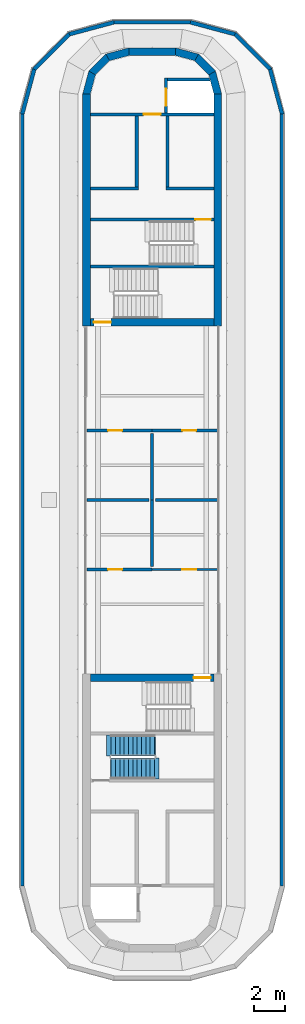
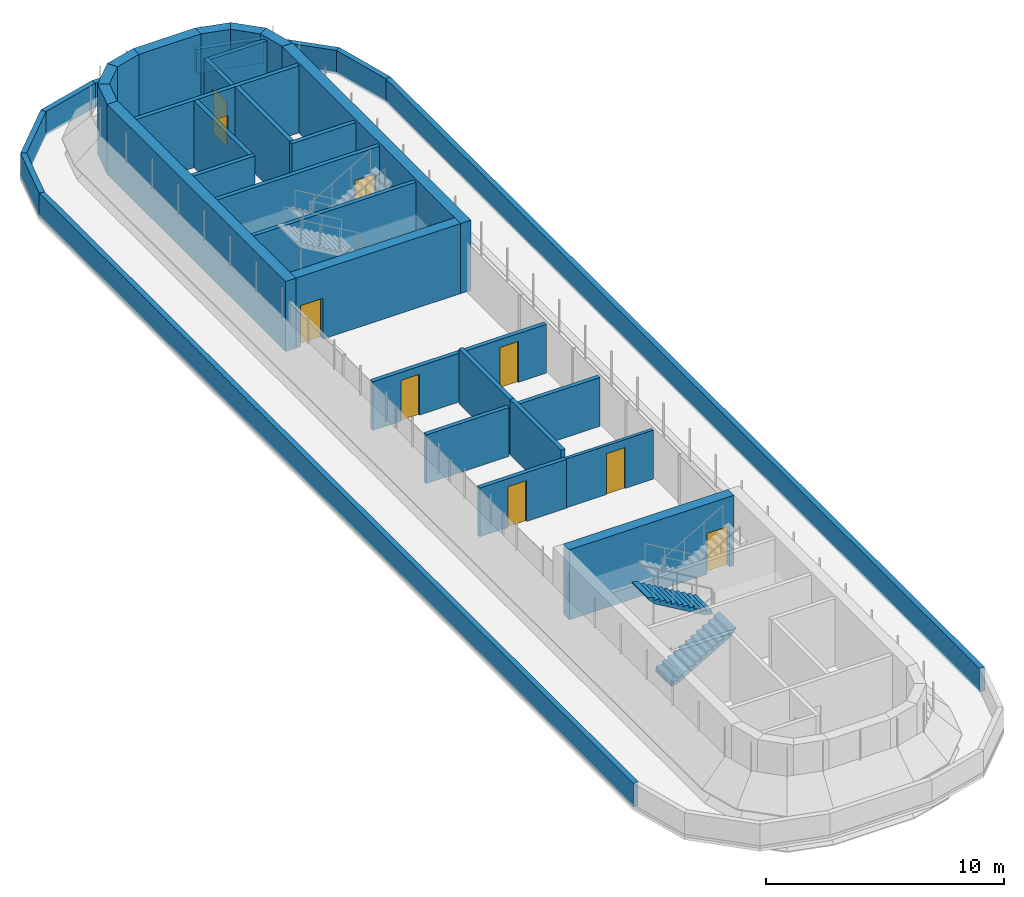
# One storey, part 3 of 6: 37 walls, 9 doors, 2 stair flights, 9 openings, 1 element without a shape of its own.
"""IFC4 building model written with IfcOpenShell, lengths in metres."""

from ifc_helpers import new_model, si_unit, direction, frame, frame_2d, origin, place, context, subcontext, project, spatial, polyline, rectangle, outline, extrude, material, layer, layer_set, type_object, element, fill, aggregate, save


model = new_model("IFC4")

# Units and contexts
model_context = context("Model", 3, precision=1e-05, world=origin(), true_north=direction((0.0, 1.0)))
body_context = subcontext(model_context, "Body", "Model", "MODEL_VIEW")
ifc_project = project(units=[si_unit("LENGTHUNIT", "METRE"), si_unit("AREAUNIT", "SQUARE_METRE"), si_unit("VOLUMEUNIT", "CUBIC_METRE"), si_unit("PLANEANGLEUNIT", "RADIAN"), si_unit("MASSUNIT", "GRAM", prefix="KILO")], contexts=[model_context])

# Site, building, storey
site_placement = place(None, origin())
site = spatial("IfcSite", under=ifc_project, at=site_placement, CompositionType="ELEMENT")
building_placement = place(site_placement, origin())
building = spatial("IfcBuilding", under=site, at=building_placement, Name="Zarbagh Exchange Tower", CompositionType="ELEMENT")
storey_placement = place(building_placement, frame((0.0, 0.0, 313.199951171875)))
storey = spatial("IfcBuildingStorey", under=building, at=storey_placement, Name="L77", CompositionType="ELEMENT", Elevation=313.199951171875)

# Wall, opening, door
ifc_material_1 = material(Name="Plasterboard partition")
ifc_layer_1 = layer(ifc_material_1, 0.14990234375)
ifc_layer_set_1 = layer_set([ifc_layer_1], Name="Board partition 150")
wall_type_1 = type_object("IfcWallType", Name="Board partition 150", PredefinedType="PARTITIONING", material=ifc_layer_set_1)
wall_1_placement = place(storey_placement, frame((0.0, -4.5, 0.0), z_axis=(0.0, 0.0, 1.0), x_axis=(1.0, 0.0, 0.0)))
wall_1 = element("IfcWall", 1, at=wall_1_placement, inside=storey, type_object=wall_type_1, Name="WL-L77-W004", PredefinedType="PARTITIONING", context=body_context, shape_type="SweptSolid", body=[
    extrude(rectangle(XDim=4.219970703125, YDim=0.14990234375, at=frame_2d((2.10986328125, 0.0))), origin(), (0.0, 0.0, 1.0), 2.5107421875),
])
opening_1_placement = place(wall_1_placement, frame((1.949951171875, 0.0, 0.0)))
opening_1 = element("IfcOpeningElement", 2, at=opening_1_placement, cuts=wall_1, Name="Opening D37", PredefinedType="OPENING", context=body_context, shape_type="SweptSolid", body=[
    extrude(rectangle(XDim=0.89990234375, YDim=2.10009765625, at=frame_2d((0.449951171875, 1.050048828125))), frame((0.0, 0.0849609375, 0.0), z_axis=(0.0, -1.0, 0.0), x_axis=(1.0, 0.0, 0.0)), (0.0, 0.0, 1.0), 0.169921875),
])
ifc_material_2 = material(Name="Timber door leaf", Category="wood")
door_type_1 = type_object("IfcDoorType", Name="Door single 900x2100", OperationType="SINGLE_SWING_LEFT", PredefinedType="DOOR", material=ifc_material_2)
door_1_placement = place(opening_1_placement, origin())
door_1 = element("IfcDoor", 3, at=door_1_placement, inside=storey, type_object=door_type_1, Name="D04", OperationType="SINGLE_SWING_LEFT", OverallHeight=2.10009765625, OverallWidth=0.89990234375, PredefinedType="DOOR", context=body_context, shape_type="SweptSolid", body=[
    extrude(rectangle(XDim=0.89990234375, YDim=2.10009765625, at=frame_2d((0.449951171875, 1.050048828125))), frame((0.0, 0.02490234375, 0.0), z_axis=(0.0, -1.0, 0.0), x_axis=(1.0, 0.0, 0.0)), (0.0, 0.0, 1.0), 0.050048828125),
])
fill(opening_1, door_1)

ifc_material_3 = material(Name="Concrete block partition", Category="concrete")
ifc_layer_2 = layer(ifc_material_3, 0.199951171875)
ifc_layer_set_2 = layer_set([ifc_layer_2], Name="Fire-rated block partition 200 EI 60")
wall_type_2 = type_object("IfcWallType", Name="Fire-rated block partition 200 EI 60", PredefinedType="PARTITIONING", material=ifc_layer_set_2)
wall_2_placement = place(storey_placement, frame((0.0, 4.5, 0.0), z_axis=(0.0, 0.0, 1.0), x_axis=(-1.0, 0.0, 0.0)))
wall_2 = element("IfcWall", 4, at=wall_2_placement, inside=storey, type_object=wall_type_2, Name="WL-L77-W001", PredefinedType="PARTITIONING", context=body_context, shape_type="SweptSolid", body=[
    extrude(rectangle(XDim=4.219970703125, YDim=0.199951171875, at=frame_2d((2.10986328125, 0.0))), origin(), (0.0, 0.0, 1.0), 2.5107421875),
])
opening_2_placement = place(wall_2_placement, frame((1.949951171875, 0.0, 0.0)))
opening_2 = element("IfcOpeningElement", 5, at=opening_2_placement, cuts=wall_2, Name="Opening D01", PredefinedType="OPENING", context=body_context, shape_type="SweptSolid", body=[
    extrude(rectangle(XDim=0.89990234375, YDim=2.10009765625, at=frame_2d((0.449951171875, 1.050048828125))), frame((0.0, 0.10986328125, 0.0), z_axis=(0.0, -1.0, 0.0), x_axis=(1.0, 0.0, 0.0)), (0.0, 0.0, 1.0), 0.219970703125),
])
ifc_material_4 = material(Name="Steel door set", Category="steel")
door_type_2 = type_object("IfcDoorType", Name="Door single 900x2100 EI 60", OperationType="SINGLE_SWING_LEFT", PredefinedType="DOOR", material=ifc_material_4)
door_2_placement = place(opening_2_placement, origin())
door_2 = element("IfcDoor", 6, at=door_2_placement, inside=storey, type_object=door_type_2, Name="D01", OperationType="SINGLE_SWING_LEFT", OverallHeight=2.10009765625, OverallWidth=0.89990234375, PredefinedType="DOOR", context=body_context, shape_type="SweptSolid", body=[
    extrude(rectangle(XDim=0.89990234375, YDim=2.10009765625, at=frame_2d((0.449951171875, 1.050048828125))), frame((0.0, 0.02490234375, 0.0), z_axis=(0.0, -1.0, 0.0), x_axis=(1.0, 0.0, 0.0)), (0.0, 0.0, 1.0), 0.050048828125),
])
fill(opening_2, door_2)

wall_3_placement = place(storey_placement, frame((4.219970703125, 4.5, 0.0), z_axis=(0.0, 0.0, 1.0), x_axis=(-1.0, 0.0, 0.0)))
wall_3 = element("IfcWall", 7, at=wall_3_placement, inside=storey, type_object=wall_type_2, Name="WL-L77-W002", PredefinedType="PARTITIONING", context=body_context, shape_type="SweptSolid", body=[
    extrude(rectangle(XDim=4.219970703125, YDim=0.199951171875, at=frame_2d((2.10986328125, 0.0))), origin(), (0.0, 0.0, 1.0), 2.5107421875),
])
opening_3_placement = place(wall_3_placement, frame((1.3701171875, 0.0, 0.0)))
opening_3 = element("IfcOpeningElement", 8, at=opening_3_placement, cuts=wall_3, Name="Opening D02", PredefinedType="OPENING", context=body_context, shape_type="SweptSolid", body=[
    extrude(rectangle(XDim=0.89990234375, YDim=2.10009765625, at=frame_2d((0.449951171875, 1.050048828125))), frame((0.0, 0.10986328125, 0.0), z_axis=(0.0, -1.0, 0.0), x_axis=(1.0, 0.0, 0.0)), (0.0, 0.0, 1.0), 0.219970703125),
])
door_3_placement = place(opening_3_placement, origin())
door_3 = element("IfcDoor", 9, at=door_3_placement, inside=storey, type_object=door_type_2, Name="D02", OperationType="SINGLE_SWING_LEFT", OverallHeight=2.10009765625, OverallWidth=0.89990234375, PredefinedType="DOOR", context=body_context, shape_type="SweptSolid", body=[
    extrude(rectangle(XDim=0.89990234375, YDim=2.10009765625, at=frame_2d((0.449951171875, 1.050048828125))), frame((0.0, 0.02490234375, 0.0), z_axis=(0.0, -1.0, 0.0), x_axis=(1.0, 0.0, 0.0)), (0.0, 0.0, 1.0), 0.050048828125),
])
fill(opening_3, door_3)

wall_4_placement = place(storey_placement, frame((-4.219970703125, -4.5, 0.0), z_axis=(0.0, 0.0, 1.0), x_axis=(1.0, 0.0, 0.0)))
wall_4 = element("IfcWall", 10, at=wall_4_placement, inside=storey, type_object=wall_type_2, Name="WL-L77-W003", PredefinedType="PARTITIONING", context=body_context, shape_type="SweptSolid", body=[
    extrude(rectangle(XDim=4.219970703125, YDim=0.199951171875, at=frame_2d((2.10986328125, 0.0))), origin(), (0.0, 0.0, 1.0), 2.5107421875),
])
opening_4_placement = place(wall_4_placement, frame((1.3701171875, 0.0, 0.0)))
opening_4 = element("IfcOpeningElement", 11, at=opening_4_placement, cuts=wall_4, Name="Opening D03", PredefinedType="OPENING", context=body_context, shape_type="SweptSolid", body=[
    extrude(rectangle(XDim=0.89990234375, YDim=2.10009765625, at=frame_2d((0.449951171875, 1.050048828125))), frame((0.0, 0.10986328125, 0.0), z_axis=(0.0, -1.0, 0.0), x_axis=(1.0, 0.0, 0.0)), (0.0, 0.0, 1.0), 0.219970703125),
])
door_4_placement = place(opening_4_placement, origin())
door_4 = element("IfcDoor", 12, at=door_4_placement, inside=storey, type_object=door_type_2, Name="D03", OperationType="SINGLE_SWING_LEFT", OverallHeight=2.10009765625, OverallWidth=0.89990234375, PredefinedType="DOOR", context=body_context, shape_type="SweptSolid", body=[
    extrude(rectangle(XDim=0.89990234375, YDim=2.10009765625, at=frame_2d((0.449951171875, 1.050048828125))), frame((0.0, 0.02490234375, 0.0), z_axis=(0.0, -1.0, 0.0), x_axis=(1.0, 0.0, 0.0)), (0.0, 0.0, 1.0), 0.050048828125),
])
fill(opening_4, door_4)

# Walls
wall_5_placement = place(storey_placement, frame((0.0, 4.300048828125, 0.0), z_axis=(0.0, 0.0, 1.0), x_axis=(0.0, -1.0, 0.0)))
element("IfcWall", 13, at=wall_5_placement, inside=storey, type_object=wall_type_2, Name="WL-L77-W005", PredefinedType="PARTITIONING", context=body_context, shape_type="SweptSolid", body=[
    extrude(rectangle(XDim=4.300048828125, YDim=0.199951171875, at=frame_2d((2.14990234375, 0.0))), origin(), (0.0, 0.0, 1.0), 2.828125),
])
for number, where, z_axis, x_axis, name in (
    (14, (-0.199951171875, 0.0, 0.0), (0.0, 0.0, 1.0), (-1.0, 0.0, 0.0), "WL-L77-W006"),
    (15, (4.219970703125, 0.0, 0.0), (0.0, 0.0, 1.0), (-1.0, 0.0, 0.0), "WL-L77-W007"),
):
    element("IfcWall", number, at=place(storey_placement, frame(where, z_axis=z_axis, x_axis=x_axis)), inside=storey, type_object=wall_type_2, Name=name, PredefinedType="PARTITIONING", context=body_context, shape_type="SweptSolid", body=[
        extrude(rectangle(XDim=4.02001953125, YDim=0.199951171875, at=frame_2d((2.010009765625, 0.0))), origin(), (0.0, 0.0, 1.0), 2.5107421875),
    ])
wall_6_placement = place(storey_placement, frame((0.0, 0.0, 0.0), z_axis=(0.0, 0.0, 1.0), x_axis=(0.0, -1.0, 0.0)))
element("IfcWall", 16, at=wall_6_placement, inside=storey, type_object=wall_type_2, Name="WL-L77-W008", PredefinedType="PARTITIONING", context=body_context, shape_type="SweptSolid", body=[
    extrude(rectangle(XDim=4.300048828125, YDim=0.199951171875, at=frame_2d((2.14990234375, 0.0))), origin(), (0.0, 0.0, 1.0), 2.828125),
])
ifc_material_5 = material(Name="Concrete C40/50", Category="concrete")
ifc_layer_3 = layer(ifc_material_5, 0.25)
ifc_layer_set_3 = layer_set([ifc_layer_3], Name="Parapet wall, concrete C40/50")
wall_type_3 = type_object("IfcWallType", Name="Parapet wall, concrete C40/50", PredefinedType="PARAPET", material=ifc_layer_set_3)
wall_7_placement = place(storey_placement, origin())
element("IfcWall", 17, at=wall_7_placement, inside=storey, type_object=wall_type_3, Name="roof parapet", PredefinedType="PARAPET", context=body_context, shape_type="SweptSolid", body=[
    extrude(outline(polyline([(-8.530029296875, -24.984375), (-8.530029296875, 24.984375), (-8.280029296875, 24.951416015625), (-8.280029296875, -24.951416015625), (-8.530029296875, -24.984375)])), origin(), (0.0, 0.0, 1.0), 1.219970703125),
])
wall_8_placement = place(storey_placement, origin())
element("IfcWall", 18, at=wall_8_placement, inside=storey, type_object=wall_type_3, Name="roof parapet", PredefinedType="PARAPET", context=body_context, shape_type="SweptSolid", body=[
    extrude(outline(polyline([(-8.530029296875, 24.984375), (-7.742919921875, 27.92138671875), (-7.518798828125, 27.7919921875), (-8.280029296875, 24.951416015625), (-8.530029296875, 24.984375)])), origin(), (0.0, 0.0, 1.0), 1.219970703125),
])
wall_9_placement = place(storey_placement, origin())
element("IfcWall", 19, at=wall_9_placement, inside=storey, type_object=wall_type_3, Name="roof parapet", PredefinedType="PARAPET", context=body_context, shape_type="SweptSolid", body=[
    extrude(outline(polyline([(-7.742919921875, 27.92138671875), (-5.42138671875, 30.242919921875), (-5.2919921875, 30.018798828125), (-7.518798828125, 27.7919921875), (-7.742919921875, 27.92138671875)])), origin(), (0.0, 0.0, 1.0), 1.219970703125),
])
wall_10_placement = place(storey_placement, origin())
element("IfcWall", 20, at=wall_10_placement, inside=storey, type_object=wall_type_3, Name="roof parapet", PredefinedType="PARAPET", context=body_context, shape_type="SweptSolid", body=[
    extrude(outline(polyline([(-5.42138671875, 30.242919921875), (-2.484375, 31.030029296875), (-2.451416015625, 30.780029296875), (-5.2919921875, 30.018798828125), (-5.42138671875, 30.242919921875)])), origin(), (0.0, 0.0, 1.0), 1.219970703125),
])
wall_11_placement = place(storey_placement, origin())
element("IfcWall", 21, at=wall_11_placement, inside=storey, type_object=wall_type_3, Name="roof parapet", PredefinedType="PARAPET", context=body_context, shape_type="SweptSolid", body=[
    extrude(outline(polyline([(-2.484375, 31.030029296875), (2.484375, 31.030029296875), (2.451416015625, 30.780029296875), (-2.451416015625, 30.780029296875), (-2.484375, 31.030029296875)])), origin(), (0.0, 0.0, 1.0), 1.219970703125),
])
wall_12_placement = place(storey_placement, origin())
element("IfcWall", 22, at=wall_12_placement, inside=storey, type_object=wall_type_3, Name="roof parapet", PredefinedType="PARAPET", context=body_context, shape_type="SweptSolid", body=[
    extrude(outline(polyline([(2.484375, 31.030029296875), (5.42138671875, 30.242919921875), (5.2919921875, 30.018798828125), (2.451416015625, 30.780029296875), (2.484375, 31.030029296875)])), origin(), (0.0, 0.0, 1.0), 1.219970703125),
])
wall_13_placement = place(storey_placement, origin())
element("IfcWall", 23, at=wall_13_placement, inside=storey, type_object=wall_type_3, Name="roof parapet", PredefinedType="PARAPET", context=body_context, shape_type="SweptSolid", body=[
    extrude(outline(polyline([(5.42138671875, 30.242919921875), (7.742919921875, 27.92138671875), (7.518798828125, 27.7919921875), (5.2919921875, 30.018798828125), (5.42138671875, 30.242919921875)])), origin(), (0.0, 0.0, 1.0), 1.219970703125),
])
wall_14_placement = place(storey_placement, origin())
element("IfcWall", 24, at=wall_14_placement, inside=storey, type_object=wall_type_3, Name="roof parapet", PredefinedType="PARAPET", context=body_context, shape_type="SweptSolid", body=[
    extrude(outline(polyline([(7.742919921875, 27.92138671875), (8.530029296875, 24.984375), (8.280029296875, 24.951416015625), (7.518798828125, 27.7919921875), (7.742919921875, 27.92138671875)])), origin(), (0.0, 0.0, 1.0), 1.219970703125),
])
wall_15_placement = place(storey_placement, origin())
element("IfcWall", 25, at=wall_15_placement, inside=storey, type_object=wall_type_3, Name="roof parapet", PredefinedType="PARAPET", context=body_context, shape_type="SweptSolid", body=[
    extrude(outline(polyline([(8.530029296875, 24.984375), (8.530029296875, -24.984375), (8.280029296875, -24.951416015625), (8.280029296875, 24.951416015625), (8.530029296875, 24.984375)])), origin(), (0.0, 0.0, 1.0), 1.219970703125),
])
ifc_layer_4 = layer(ifc_material_5, 0.5)
ifc_layer_set_4 = layer_set([ifc_layer_4], Name="RC core corner wall 500 C40/50")
wall_type_4 = type_object("IfcWallType", Name="RC core corner wall 500 C40/50", PredefinedType="SHEAR", material=ifc_layer_set_4)
wall_16_placement = place(storey_placement, origin())
element("IfcWall", 26, at=wall_16_placement, inside=storey, type_object=wall_type_4, Name="CW10 core N corner W", PredefinedType="SHEAR", context=body_context, shape_type="SweptSolid", body=[
    extrude(outline(polyline([(-4.5, 26.25), (-4.09814453125, 27.75), (-3.6650390625, 27.5), (-4.0, 26.25), (-4.5, 26.25)])), origin(), (0.0, 0.0, 1.0), 3.60009765625),
])
wall_17_placement = place(storey_placement, origin())
element("IfcWall", 27, at=wall_17_placement, inside=storey, type_object=wall_type_4, Name="CW10 core N corner W", PredefinedType="SHEAR", context=body_context, shape_type="SweptSolid", body=[
    extrude(outline(polyline([(-4.09814453125, 27.75), (-3.0, 28.84814453125), (-2.75, 28.4150390625), (-3.6650390625, 27.5), (-4.09814453125, 27.75)])), origin(), (0.0, 0.0, 1.0), 3.60009765625),
])
wall_18_placement = place(storey_placement, origin())
element("IfcWall", 28, at=wall_18_placement, inside=storey, type_object=wall_type_4, Name="CW10 core N corner W", PredefinedType="SHEAR", context=body_context, shape_type="SweptSolid", body=[
    extrude(outline(polyline([(-3.0, 28.84814453125), (-1.5, 29.25), (-1.5, 28.75), (-2.75, 28.4150390625), (-3.0, 28.84814453125)])), origin(), (0.0, 0.0, 1.0), 3.60009765625),
])
wall_19_placement = place(storey_placement, origin())
element("IfcWall", 29, at=wall_19_placement, inside=storey, type_object=wall_type_4, Name="CW10 core N corner E", PredefinedType="SHEAR", context=body_context, shape_type="SweptSolid", body=[
    extrude(outline(polyline([(4.5, 26.25), (4.09814453125, 27.75), (3.6650390625, 27.5), (4.0, 26.25), (4.5, 26.25)])), origin(), (0.0, 0.0, 1.0), 3.60009765625),
])
wall_20_placement = place(storey_placement, origin())
element("IfcWall", 30, at=wall_20_placement, inside=storey, type_object=wall_type_4, Name="CW10 core N corner E", PredefinedType="SHEAR", context=body_context, shape_type="SweptSolid", body=[
    extrude(outline(polyline([(4.09814453125, 27.75), (3.0, 28.84814453125), (2.75, 28.4150390625), (3.6650390625, 27.5), (4.09814453125, 27.75)])), origin(), (0.0, 0.0, 1.0), 3.60009765625),
])
wall_21_placement = place(storey_placement, origin())
element("IfcWall", 31, at=wall_21_placement, inside=storey, type_object=wall_type_4, Name="CW10 core N corner E", PredefinedType="SHEAR", context=body_context, shape_type="SweptSolid", body=[
    extrude(outline(polyline([(3.0, 28.84814453125), (1.5, 29.25), (1.5, 28.75), (2.75, 28.4150390625), (3.0, 28.84814453125)])), origin(), (0.0, 0.0, 1.0), 3.60009765625),
])
ifc_layer_5 = layer(ifc_material_5, 0.5)
ifc_layer_set_5 = layer_set([ifc_layer_5], Name="RC core wall 500 C40/50")
wall_type_5 = type_object("IfcWallType", Name="RC core wall 500 C40/50", PredefinedType="SHEAR", material=ifc_layer_set_5)
for number, where, z_axis, x_axis, name in (
    (32, (-4.25, 11.25, 0.0), (0.0, 0.0, 1.0), (0.0, 1.0, 0.0), "CW9 core N W"),
    (33, (4.25, 11.25, 0.0), (0.0, 0.0, 1.0), (0.0, 1.0, 0.0), "CW9 core N E"),
):
    element("IfcWall", number, at=place(storey_placement, frame(where, z_axis=z_axis, x_axis=x_axis)), inside=storey, type_object=wall_type_5, Name=name, PredefinedType="SHEAR", context=body_context, shape_type="SweptSolid", body=[
        extrude(rectangle(XDim=15.0, YDim=0.5, at=frame_2d((7.5, 0.0))), origin(), (0.0, 0.0, 1.0), 3.60009765625),
    ])

# Wall, opening, door
wall_22_placement = place(storey_placement, frame((-4.0, 11.5, 0.0), z_axis=(0.0, 0.0, 1.0), x_axis=(1.0, 0.0, 0.0)))
wall_22 = element("IfcWall", 34, at=wall_22_placement, inside=storey, type_object=wall_type_5, Name="CW9 core N inner end", PredefinedType="SHEAR", context=body_context, shape_type="SweptSolid", body=[
    extrude(rectangle(XDim=8.0, YDim=0.5, at=frame_2d((4.0, 0.0))), origin(), (0.0, 0.0, 1.0), 3.60009765625),
])
opening_5_placement = place(wall_22_placement, frame((0.22509765625, 0.0, 0.0)))
opening_5 = element("IfcOpeningElement", 35, at=opening_5_placement, cuts=wall_22, Name="Opening SD1-1100", PredefinedType="OPENING", context=body_context, shape_type="SweptSolid", body=[
    extrude(rectangle(XDim=1.10009765625, YDim=2.10009765625, at=frame_2d((0.550048828125, 1.050048828125))), frame((0.0, 0.260009765625, 0.0), z_axis=(0.0, -1.0, 0.0), x_axis=(1.0, 0.0, 0.0)), (0.0, 0.0, 1.0), 0.52001953125),
])
ifc_material_6 = material(Name="Steel", Category="steel")
door_type_3 = type_object("IfcDoorType", Name="Exit stair door 1100 x 2100", OperationType="NOTDEFINED", PredefinedType="DOOR", material=ifc_material_6)
door_5_placement = place(opening_5_placement, origin())
door_5 = element("IfcDoor", 36, at=door_5_placement, inside=storey, type_object=door_type_3, Name="North core stair door ST2", OperationType="SINGLE_SWING_LEFT", OverallHeight=2.10009765625, OverallWidth=1.10009765625, PredefinedType="DOOR", context=body_context, shape_type="SweptSolid", body=[
    extrude(rectangle(XDim=1.10009765625, YDim=2.10009765625, at=frame_2d((0.550048828125, 1.050048828125))), frame((0.0, 0.02490234375, 0.0), z_axis=(0.0, -1.0, 0.0), x_axis=(1.0, 0.0, 0.0)), (0.0, 0.0, 1.0), 0.050048828125),
])
fill(opening_5, door_5)

# Wall
wall_23_placement = place(storey_placement, frame((-1.5, 29.0, 0.0), z_axis=(0.0, 0.0, 1.0), x_axis=(1.0, 0.0, 0.0)))
element("IfcWall", 37, at=wall_23_placement, inside=storey, type_object=wall_type_5, Name="CW9 core N outer end", PredefinedType="SHEAR", context=body_context, shape_type="SweptSolid", body=[
    extrude(rectangle(XDim=3.0, YDim=0.5, at=frame_2d((1.5, 0.0))), origin(), (0.0, 0.0, 1.0), 3.60009765625),
])

# Wall, opening, door
wall_24_placement = place(storey_placement, frame((-4.0, -11.5, 0.0), z_axis=(0.0, 0.0, 1.0), x_axis=(1.0, 0.0, 0.0)))
wall_24 = element("IfcWall", 38, at=wall_24_placement, inside=storey, type_object=wall_type_5, Name="CW9 core S inner end", PredefinedType="SHEAR", context=body_context, shape_type="SweptSolid", body=[
    extrude(rectangle(XDim=8.0, YDim=0.5, at=frame_2d((4.0, 0.0))), origin(), (0.0, 0.0, 1.0), 3.60009765625),
])
opening_6_placement = place(wall_24_placement, frame((6.675048828125, 0.0, 0.0)))
opening_6 = element("IfcOpeningElement", 39, at=opening_6_placement, cuts=wall_24, Name="Opening SD1-1100", PredefinedType="OPENING", context=body_context, shape_type="SweptSolid", body=[
    extrude(rectangle(XDim=1.10009765625, YDim=2.10009765625, at=frame_2d((0.550048828125, 1.050048828125))), frame((0.0, 0.260009765625, 0.0), z_axis=(0.0, -1.0, 0.0), x_axis=(1.0, 0.0, 0.0)), (0.0, 0.0, 1.0), 0.52001953125),
])
door_6_placement = place(opening_6_placement, origin())
door_6 = element("IfcDoor", 40, at=door_6_placement, inside=storey, type_object=door_type_3, Name="South core stair door ST2", OperationType="SINGLE_SWING_LEFT", OverallHeight=2.10009765625, OverallWidth=1.10009765625, PredefinedType="DOOR", context=body_context, shape_type="SweptSolid", body=[
    extrude(rectangle(XDim=1.10009765625, YDim=2.10009765625, at=frame_2d((0.550048828125, 1.050048828125))), frame((0.0, 0.02490234375, 0.0), z_axis=(0.0, -1.0, 0.0), x_axis=(1.0, 0.0, 0.0)), (0.0, 0.0, 1.0), 0.050048828125),
])
fill(opening_6, door_6)

# Walls
ifc_material_7 = material(Name="Dense blockwork", Category="masonry")
ifc_layer_6 = layer(ifc_material_7, 0.199951171875)
ifc_layer_set_6 = layer_set([ifc_layer_6], Name="Shaft wall 200 mm blockwork")
wall_type_6 = type_object("IfcWallType", Name="Shaft wall 200 mm blockwork", PredefinedType="PARTITIONING", material=ifc_layer_set_6)
wall_25_placement = place(storey_placement, frame((-4.0, 20.14990234375, 0.0), z_axis=(0.0, 0.0, 1.0), x_axis=(1.0, 0.0, 0.0)))
element("IfcWall", 41, at=wall_25_placement, inside=storey, type_object=wall_type_6, Name="North core shaft wall AB-W", PredefinedType="PARTITIONING", context=body_context, shape_type="SweptSolid", body=[
    extrude(rectangle(XDim=3.10009765625, YDim=0.199951171875, at=frame_2d((1.550048828125, 0.0))), origin(), (0.0, 0.0, 1.0), 3.449951171875),
])
wall_26_placement = place(storey_placement, frame((-1.0, 24.85009765625, 0.0), z_axis=(0.0, 0.0, 1.0), x_axis=(0.0, -1.0, 0.0)))
element("IfcWall", 42, at=wall_26_placement, inside=storey, type_object=wall_type_6, Name="North core shaft wall LW-W", PredefinedType="PARTITIONING", context=body_context, shape_type="SweptSolid", body=[
    extrude(rectangle(XDim=4.60009765625, YDim=0.199951171875, at=frame_2d((2.300048828125, 0.0))), origin(), (0.0, 0.0, 1.0), 3.449951171875),
])
wall_27_placement = place(storey_placement, frame((0.89990234375, 20.14990234375, 0.0), z_axis=(0.0, 0.0, 1.0), x_axis=(1.0, 0.0, 0.0)))
element("IfcWall", 43, at=wall_27_placement, inside=storey, type_object=wall_type_6, Name="North core shaft wall AB-E", PredefinedType="PARTITIONING", context=body_context, shape_type="SweptSolid", body=[
    extrude(rectangle(XDim=3.10009765625, YDim=0.199951171875, at=frame_2d((1.550048828125, 0.0))), origin(), (0.0, 0.0, 1.0), 3.449951171875),
])
wall_28_placement = place(storey_placement, frame((1.0, 24.85009765625, 0.0), z_axis=(0.0, 0.0, 1.0), x_axis=(0.0, -1.0, 0.0)))
element("IfcWall", 44, at=wall_28_placement, inside=storey, type_object=wall_type_6, Name="North core shaft wall LW-E", PredefinedType="PARTITIONING", context=body_context, shape_type="SweptSolid", body=[
    extrude(rectangle(XDim=4.60009765625, YDim=0.199951171875, at=frame_2d((2.300048828125, 0.0))), origin(), (0.0, 0.0, 1.0), 3.449951171875),
])

# Wall, opening, door
ifc_layer_7 = layer(ifc_material_5, 0.199951171875)
ifc_layer_set_7 = layer_set([ifc_layer_7], Name="Stair enclosure wall 200 mm RC C40/50")
wall_type_7 = type_object("IfcWallType", Name="Stair enclosure wall 200 mm RC C40/50", PredefinedType="SHEAR", material=ifc_layer_set_7)
wall_29_placement = place(storey_placement, frame((-4.0, 24.949951171875, 0.0), z_axis=(0.0, 0.0, 1.0), x_axis=(1.0, 0.0, 0.0)))
wall_29 = element("IfcWall", 45, at=wall_29_placement, inside=storey, type_object=wall_type_7, Name="North core lift shaft wall FFA", PredefinedType="SHEAR", context=body_context, shape_type="SweptSolid", body=[
    extrude(rectangle(XDim=8.0, YDim=0.199951171875, at=frame_2d((4.0, 0.0))), origin(), (0.0, 0.0, 1.0), 3.449951171875),
])
opening_7_placement = place(wall_29_placement, frame((3.449951171875, 0.0, 0.0)))
opening_7 = element("IfcOpeningElement", 46, at=opening_7_placement, cuts=wall_29, Name="Opening CD2-1100", PredefinedType="OPENING", context=body_context, shape_type="SweptSolid", body=[
    extrude(rectangle(XDim=1.10009765625, YDim=2.10009765625, at=frame_2d((0.550048828125, 1.050048828125))), frame((0.0, 0.10986328125, 0.0), z_axis=(0.0, -1.0, 0.0), x_axis=(1.0, 0.0, 0.0)), (0.0, 0.0, 1.0), 0.219970703125),
])
door_type_4 = type_object("IfcDoorType", Name="Firefighting lobby door 1100 x 2100", OperationType="NOTDEFINED", PredefinedType="DOOR", material=ifc_material_6)
door_7_placement = place(opening_7_placement, origin())
door_7 = element("IfcDoor", 47, at=door_7_placement, inside=storey, type_object=door_type_4, Name="North core firefighting lobby door CL-FF", OperationType="SINGLE_SWING_LEFT", OverallHeight=2.10009765625, OverallWidth=1.10009765625, PredefinedType="DOOR", context=body_context, shape_type="SweptSolid", body=[
    extrude(rectangle(XDim=1.10009765625, YDim=2.10009765625, at=frame_2d((0.550048828125, 1.050048828125))), frame((0.0, 0.02490234375, 0.0), z_axis=(0.0, -1.0, 0.0), x_axis=(1.0, 0.0, 0.0)), (0.0, 0.0, 1.0), 0.050048828125),
])
fill(opening_7, door_7)

wall_30_placement = place(storey_placement, frame((0.89990234375, 27.300048828125, 0.0), z_axis=(0.0, 0.0, 1.0), x_axis=(0.0, -1.0, 0.0)))
wall_30 = element("IfcWall", 48, at=wall_30_placement, inside=storey, type_object=wall_type_7, Name="North core lift shaft wall FFL", PredefinedType="SHEAR", context=body_context, shape_type="SweptSolid", body=[
    extrude(rectangle(XDim=2.25, YDim=0.199951171875, at=frame_2d((1.125, 0.0))), origin(), (0.0, 0.0, 1.0), 3.449951171875),
])
opening_8_placement = place(wall_30_placement, frame((0.699951171875, 0.0, 0.0)))
opening_8 = element("IfcOpeningElement", 49, at=opening_8_placement, cuts=wall_30, Name="Opening LD-1100", PredefinedType="OPENING", context=body_context, shape_type="SweptSolid", body=[
    extrude(rectangle(XDim=1.10009765625, YDim=2.300048828125, at=frame_2d((0.550048828125, 1.14990234375))), frame((0.0, 0.10986328125, 0.0), z_axis=(0.0, -1.0, 0.0), x_axis=(1.0, 0.0, 0.0)), (0.0, 0.0, 1.0), 0.219970703125),
])
ifc_material_8 = material(Name="Stainless steel", Category="steel")
door_type_5 = type_object("IfcDoorType", Name="Lift landing door 1100 x 2300", OperationType="NOTDEFINED", PredefinedType="DOOR", material=ifc_material_8)
door_8_placement = place(opening_8_placement, origin())
door_8 = element("IfcDoor", 50, at=door_8_placement, inside=storey, type_object=door_type_5, Name="North core lift landing door LD-F", OperationType="DOUBLE_DOOR_SLIDING", OverallHeight=2.300048828125, OverallWidth=1.10009765625, PredefinedType="DOOR", context=body_context, shape_type="SweptSolid", body=[
    extrude(rectangle(XDim=1.10009765625, YDim=2.300048828125, at=frame_2d((0.550048828125, 1.14990234375))), frame((0.0, 0.02490234375, 0.0), z_axis=(0.0, -1.0, 0.0), x_axis=(1.0, 0.0, 0.0)), (0.0, 0.0, 1.0), 0.050048828125),
])
fill(opening_8, door_8)

# Wall
wall_31_placement = place(storey_placement, origin())
element("IfcWall", 51, at=wall_31_placement, inside=storey, type_object=wall_type_7, Name="North core lift shaft wall FFX", PredefinedType="SHEAR", context=body_context, shape_type="SweptSolid", body=[
    extrude(outline(polyline([(1.0, 27.10009765625), (3.754638671875, 27.10009765625), (3.700927734375, 27.300048828125), (1.0, 27.300048828125), (1.0, 27.10009765625)])), origin(), (0.0, 0.0, 1.0), 3.449951171875),
])

# Wall, opening, door
wall_32_placement = place(storey_placement, frame((-4.0, 18.14990234375, 0.0), z_axis=(0.0, 0.0, 1.0), x_axis=(1.0, 0.0, 0.0)))
wall_32 = element("IfcWall", 52, at=wall_32_placement, inside=storey, type_object=wall_type_7, Name="North core stair wall BS", PredefinedType="SHEAR", context=body_context, shape_type="SweptSolid", body=[
    extrude(rectangle(XDim=8.0, YDim=0.199951171875, at=frame_2d((4.0, 0.0))), origin(), (0.0, 0.0, 1.0), 3.449951171875),
])
opening_9_placement = place(wall_32_placement, frame((6.800048828125, 0.0, 0.0)))
opening_9 = element("IfcOpeningElement", 53, at=opening_9_placement, cuts=wall_32, Name="Opening SD2-1000", PredefinedType="OPENING", context=body_context, shape_type="SweptSolid", body=[
    extrude(rectangle(XDim=1.0, YDim=2.10009765625, at=frame_2d((0.5, 1.050048828125))), frame((0.0, 0.10986328125, 0.0), z_axis=(0.0, -1.0, 0.0), x_axis=(1.0, 0.0, 0.0)), (0.0, 0.0, 1.0), 0.219970703125),
])
door_type_6 = type_object("IfcDoorType", Name="Stair to lobby door 1000 x 2100", OperationType="NOTDEFINED", PredefinedType="DOOR", material=ifc_material_6)
door_9_placement = place(opening_9_placement, origin())
door_9 = element("IfcDoor", 54, at=door_9_placement, inside=storey, type_object=door_type_6, Name="North core stair door ST1-PL", OperationType="SINGLE_SWING_RIGHT", OverallHeight=2.10009765625, OverallWidth=1.0, PredefinedType="DOOR", context=body_context, shape_type="SweptSolid", body=[
    extrude(rectangle(XDim=1.0, YDim=2.10009765625, at=frame_2d((0.5, 1.050048828125))), frame((0.0, 0.02490234375, 0.0), z_axis=(0.0, -1.0, 0.0), x_axis=(1.0, 0.0, 0.0)), (0.0, 0.0, 1.0), 0.050048828125),
])
fill(opening_9, door_9)

# Wall
wall_33_placement = place(storey_placement, frame((-4.0, 15.10009765625, 0.0), z_axis=(0.0, 0.0, 1.0), x_axis=(1.0, 0.0, 0.0)))
element("IfcWall", 55, at=wall_33_placement, inside=storey, type_object=wall_type_7, Name="North core stair wall ST12", PredefinedType="SHEAR", context=body_context, shape_type="SweptSolid", body=[
    extrude(rectangle(XDim=8.0, YDim=0.199951171875, at=frame_2d((4.0, 0.0))), origin(), (0.0, 0.0, 1.0), 3.449951171875),
])

# Stair, stair flights
stair_type = type_object("IfcStairType", Name="Exit stair two-flight half-turn", PredefinedType="HALF_TURN_STAIR", material=ifc_material_5)
stair_placement = place(storey_placement, origin())
stair = element("IfcStair", 56, at=stair_placement, inside=storey, type_object=stair_type, Name="exit stair ST3", PredefinedType="HALF_TURN_STAIR")
stair_flight_type = type_object("IfcStairFlightType", Name="Stair flight 1350 mm", PredefinedType="STRAIGHT", material=ifc_material_5)
stair_flight_1_placement = place(storey_placement, frame((-2.64990234375, -17.375, 0.0), z_axis=(0.0, 0.0, 1.0), x_axis=(1.0, 0.0, 0.0)))
stair_flight_1 = element("IfcStairFlight", 57, at=stair_flight_1_placement, type_object=stair_flight_type, Name="ST3 flight 1", NumberOfRisers=11, NumberOfTreads=10, PredefinedType="STRAIGHT", RiserHeight=0.163636364, TreadLength=0.28, context=body_context, shape_type="SweptSolid", body=[
    extrude(outline(polyline([(-0.050048828125, -0.050048828125), (-0.050048828125, 0.0), (0.0, 0.0), (0.0, 0.16357421875), (0.280029296875, 0.16357421875), (0.280029296875, 0.327392578125), (0.56005859375, 0.327392578125), (0.56005859375, 0.490966796875), (0.840087890625, 0.490966796875), (0.840087890625, 0.654541015625), (1.1201171875, 0.654541015625), (1.1201171875, 0.818115234375), (1.39990234375, 0.818115234375), (1.39990234375, 0.98193359375), (1.679931640625, 0.98193359375), (1.679931640625, 1.1455078125), (1.9599609375, 1.1455078125), (1.9599609375, 1.30908203125), (2.239990234375, 1.30908203125), (2.239990234375, 1.47265625), (2.52001953125, 1.47265625), (2.52001953125, 1.636474609375), (2.800048828125, 1.636474609375), (2.800048828125, 1.800048828125), (3.10009765625, 1.8798828125), (3.10009765625, 1.800048828125), (2.800048828125, 1.462646484375), (0.297119140625, 0.0), (-0.050048828125, -0.050048828125)])), frame((0.0, 0.675048828125, 0.0), z_axis=(0.0, -1.0, 0.0), x_axis=(1.0, 0.0, 0.0)), (0.0, 0.0, 1.0), 1.35009765625),
])
stair_flight_2_placement = place(storey_placement, frame((0.14990234375, -15.875, 1.800048828125), z_axis=(0.0, 0.0, 1.0), x_axis=(-1.0, 0.0, 0.0)))
stair_flight_2 = element("IfcStairFlight", 58, at=stair_flight_2_placement, type_object=stair_flight_type, Name="ST3 flight 2", NumberOfRisers=11, NumberOfTreads=10, PredefinedType="STRAIGHT", RiserHeight=0.163636364, TreadLength=0.28, context=body_context, shape_type="SweptSolid", body=[
    extrude(outline(polyline([(-0.050048828125, -0.050048828125), (-0.050048828125, 0.0), (0.0, 0.0), (0.0, 0.16357421875), (0.280029296875, 0.16357421875), (0.280029296875, 0.327392578125), (0.56005859375, 0.327392578125), (0.56005859375, 0.490966796875), (0.840087890625, 0.490966796875), (0.840087890625, 0.654541015625), (1.1201171875, 0.654541015625), (1.1201171875, 0.818115234375), (1.39990234375, 0.818115234375), (1.39990234375, 0.98193359375), (1.679931640625, 0.98193359375), (1.679931640625, 1.1455078125), (1.9599609375, 1.1455078125), (1.9599609375, 1.30908203125), (2.239990234375, 1.30908203125), (2.239990234375, 1.47265625), (2.52001953125, 1.47265625), (2.52001953125, 1.636474609375), (2.800048828125, 1.636474609375), (2.800048828125, 1.800048828125), (3.10009765625, 1.8798828125), (3.10009765625, 1.800048828125), (2.800048828125, 1.462646484375), (0.297119140625, 0.0), (-0.050048828125, -0.050048828125)])), frame((0.0, 0.675048828125, 0.0), z_axis=(0.0, -1.0, 0.0), x_axis=(1.0, 0.0, 0.0)), (0.0, 0.0, 1.0), 1.35009765625),
])
aggregate(stair, [stair_flight_1, stair_flight_2])

save(model, "model.ifc")
